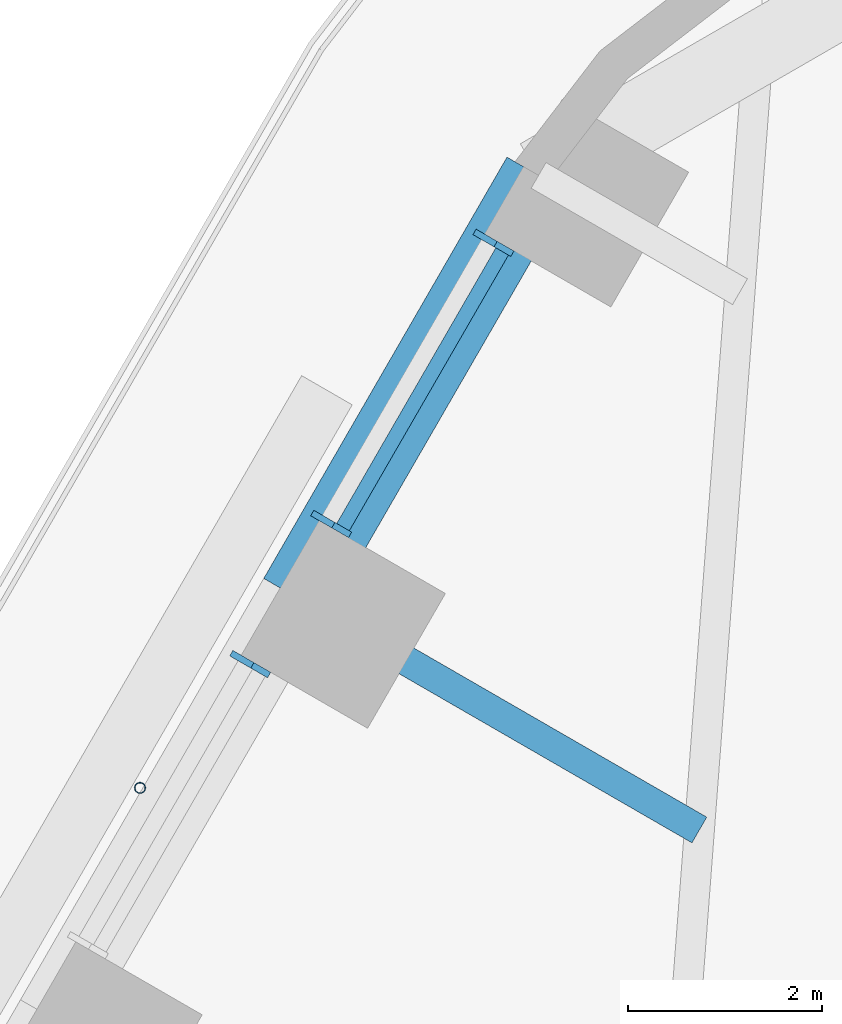
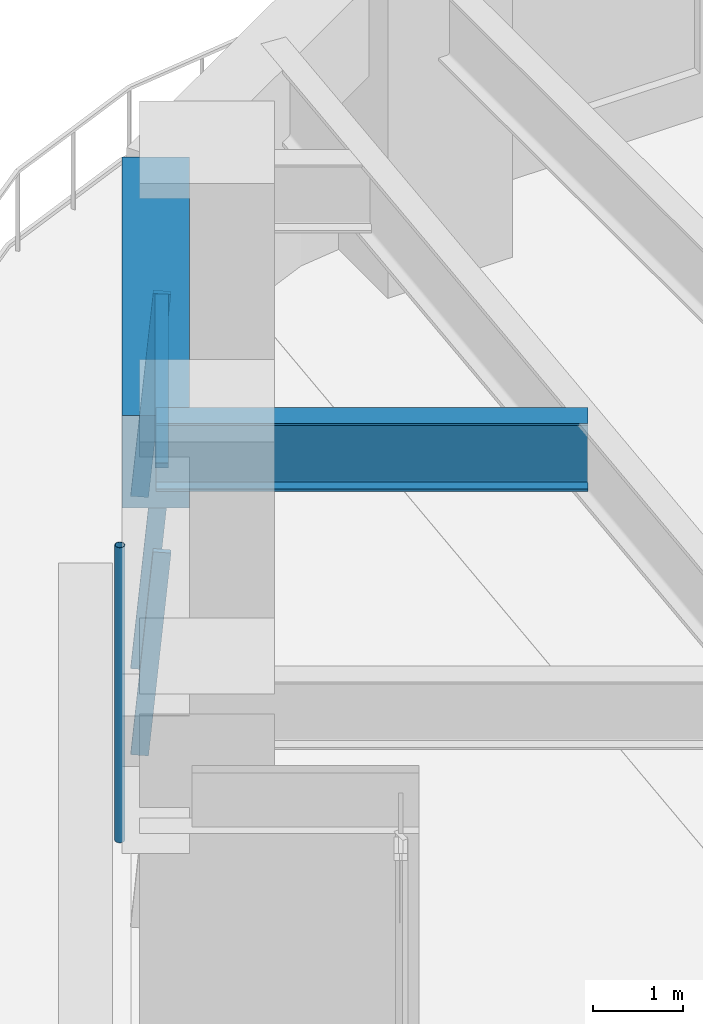
# One storey, part 9 of 24: 5 members, 2 beams, 2 elements without a shape of their own.
"""IFC4 building model written with IfcOpenShell, lengths in metres."""

import ifcopenshell
import ifcopenshell.guid

model = None  # the IFC model being written
_history = None  # IfcOwnerHistory: only IFC2X3 demands one
_inside = {}  # id of a spatial element -> (the spatial element, [elements in it])
_under = {}  # id of a project, library or spatial element -> (it, [spatial elements below it])
_declared = {}  # id of a project -> (the project, [libraries it declares])
_typed = {}  # id of a type object -> (the type object, [elements of that type])
_made_of = {}  # id of a material, layer set ... -> (it, [elements and type objects made of it])


def new_model(schema):
    """Start an empty IFC model of exactly this schema.

    Asked for "IFC4X3", IfcOpenShell would pick the latest addendum, in which some entities
    have other attributes; the version numbers below select the first issue.
    IFC2X3 requires an IfcOwnerHistory on every rooted entity: one is made here for all.
    """
    global model, _history
    if schema == "IFC4X3":
        model = ifcopenshell.file(schema_version=(4, 3, 0, 0))
    else:
        model = ifcopenshell.file(schema=schema)
    _inside.clear()
    _under.clear()
    _declared.clear()
    _typed.clear()
    _made_of.clear()
    _history = None
    if model.schema == "IFC2X3":
        org = make("IfcOrganization", Name="unknown")
        user = make(
            "IfcPersonAndOrganization",
            ThePerson=make("IfcPerson", FamilyName="unknown"),
            TheOrganization=org,
        )
        app = make(
            "IfcApplication",
            ApplicationDeveloper=org,
            Version="unknown",
            ApplicationFullName="unknown",
            ApplicationIdentifier="unknown",
        )
        _history = make(
            "IfcOwnerHistory",
            OwningUser=user,
            OwningApplication=app,
            ChangeAction="ADDED",
            CreationDate=0,
        )
    return model


def make(cls, **values):
    """One entity of the class cls with the attributes given. An attribute that is None is left unset."""
    return model.create_entity(
        cls, **{name: value for name, value in values.items() if value is not None}
    )


def rooted(cls, **values):
    """An entity with a GlobalId (a new one), such as an element, a storey or a relation."""
    return make(cls, GlobalId=ifcopenshell.guid.new(), OwnerHistory=_history, **values)


def si_unit(unit_type, name, prefix=None):
    """IfcSIUnit, for example si_unit("LENGTHUNIT", "METRE", prefix="MILLI")."""
    return make("IfcSIUnit", UnitType=unit_type, Prefix=prefix, Name=name)


def assignment(units):
    """IfcUnitAssignment: the units of a project."""
    return None if units is None else make("IfcUnitAssignment", Units=units)


def point(xyz):
    """IfcCartesianPoint."""
    return None if xyz is None else make("IfcCartesianPoint", Coordinates=xyz)


def direction(xyz):
    """IfcDirection."""
    return None if xyz is None else make("IfcDirection", DirectionRatios=xyz)


def frame(location, z_axis=None, x_axis=None):
    """IfcAxis2Placement3D, a coordinate frame: its origin and axes. An axis left out is left unset."""
    return make(
        "IfcAxis2Placement3D",
        Location=point(location),
        Axis=direction(z_axis),
        RefDirection=direction(x_axis),
    )


def frame_2d(location, x_axis=None):
    """IfcAxis2Placement2D, a coordinate frame in the plane: its origin and x axis."""
    return make(
        "IfcAxis2Placement2D", Location=point(location), RefDirection=direction(x_axis)
    )


def origin():
    """The frame at (0, 0, 0) with its axes left unset."""
    return frame((0.0, 0.0, 0.0))


def origin_2d():
    """The frame at (0, 0) in the plane with its x axis left unset."""
    return frame_2d((0.0, 0.0))


def place(relative_to, where):
    """IfcLocalPlacement: puts the frame where relative to a parent placement (None: the world)."""
    return make(
        "IfcLocalPlacement", PlacementRelTo=relative_to, RelativePlacement=where
    )


def context(
    kind, dimensions, precision=None, world=None, true_north=None, identifier=None
):
    """IfcGeometricRepresentationContext, for example the 3D "Model" context."""
    return make(
        "IfcGeometricRepresentationContext",
        ContextIdentifier=identifier,
        ContextType=kind,
        CoordinateSpaceDimension=dimensions,
        Precision=precision,
        WorldCoordinateSystem=world,
        TrueNorth=true_north,
    )


def subcontext(parent, identifier, kind, view, scale=None):
    """IfcGeometricRepresentationSubContext, for example "Body" below "Model"."""
    return make(
        "IfcGeometricRepresentationSubContext",
        ContextIdentifier=identifier,
        ContextType=kind,
        ParentContext=parent,
        TargetScale=scale,
        TargetView=view,
    )


def project(units=None, contexts=None):
    """IfcProject with its units and contexts."""
    return rooted(
        "IfcProject",
        Name="project",
        RepresentationContexts=contexts,
        UnitsInContext=assignment(units),
    )


def spatial(cls, under=None, at=None, **own):
    """A site, building, storey or space (cls), placed at a placement, below another one or the project."""
    s = rooted(cls, ObjectPlacement=at, **own)
    if under is not None:
        _under.setdefault(under.id(), (under, []))[1].append(s)
    return s


def profile(cls, at=None, kind="AREA", **sizes):
    """A parametric profile (cls). Its sizes go by their IFC names, for example OverallWidth=200.0."""
    return make(cls, ProfileType=kind, Position=at, **sizes)


def rectangle(**sizes):
    """IfcRectangleProfileDef."""
    return profile("IfcRectangleProfileDef", **sizes)


def hollow_circle(**sizes):
    """IfcCircleHollowProfileDef."""
    return profile("IfcCircleHollowProfileDef", **sizes)


def i_section(**sizes):
    """IfcIShapeProfileDef."""
    return profile("IfcIShapeProfileDef", **sizes)


def extrude(swept, where, along, depth):
    """IfcExtrudedAreaSolid: the profile swept, set in the frame where, extruded along a direction by depth."""
    return make(
        "IfcExtrudedAreaSolid",
        SweptArea=swept,
        Position=where,
        ExtrudedDirection=direction(along),
        Depth=depth,
    )


def shape(context_of_items, identifier, shape_type, items):
    """IfcShapeRepresentation: the items that make up one representation, for example the "Body"."""
    return make(
        "IfcShapeRepresentation",
        ContextOfItems=context_of_items,
        RepresentationIdentifier=identifier,
        RepresentationType=shape_type,
        Items=items,
    )


def material(Name=None, Category=None):
    """IfcMaterial."""
    return make("IfcMaterial", Name=Name, Category=Category)


def material_profile(
    of_material, cross_section, Name=None, Category=None, Priority=None
):
    """IfcMaterialProfile: a cross section and its material."""
    return make(
        "IfcMaterialProfile",
        Name=Name,
        Material=of_material,
        Profile=cross_section,
        Priority=Priority,
        Category=Category,
    )


def profile_set(profiles, Name=None, composite=None):
    """IfcMaterialProfileSet."""
    return make(
        "IfcMaterialProfileSet",
        Name=Name,
        MaterialProfiles=profiles,
        CompositeProfile=composite,
    )


def made_of(thing, what):
    """Note that an element or type object is made of a material, layer set ...; save() writes the relation."""
    if what is not None:
        _made_of.setdefault(what.id(), (what, []))[1].append(thing)
    return thing


def type_object(cls, material=None, **own):
    """A type object (cls), such as IfcWallType, which elements share."""
    return made_of(rooted(cls, **own), material)


def element(
    cls,
    number,
    at=None,
    inside=None,
    cuts=None,
    type_object=None,
    material=None,
    context=None,
    identifier="Body",
    shape_type=None,
    held_by="IfcProductDefinitionShape",
    body=None,
    shapes=None,
    **own,
):
    """One element of the class cls, such as IfcWall. Its Tag is "e" and its number.

    at: its placement. inside: the storey or other place that contains it. cuts: it is an
    opening in that element (IfcRelVoidsElement). A single representation is given by context,
    identifier, shape_type and body (its items); several are given by shapes. held_by: the class
    of the entity that holds the representations. save() writes the other relations.
    """
    e = rooted(cls, Tag="e%d" % number, ObjectPlacement=at, **own)
    if body is not None:
        shapes = [shape(context, identifier, shape_type, body)]
    if shapes is not None:
        e.Representation = make(held_by, Representations=shapes)
    if inside is not None:
        _inside.setdefault(inside.id(), (inside, []))[1].append(e)
    if cuts is not None:
        rooted(
            "IfcRelVoidsElement", RelatingBuildingElement=cuts, RelatedOpeningElement=e
        )
    if type_object is not None:
        _typed.setdefault(type_object.id(), (type_object, []))[1].append(e)
    return made_of(e, material)


def aggregate(whole, parts):
    """IfcRelAggregates: a whole, such as a stair, and the parts it consists of."""
    return rooted("IfcRelAggregates", RelatingObject=whole, RelatedObjects=parts)


def save(model, path):
    """Write the relations noted so far, then the file.

    IfcRelAggregates (storeys below a building ...), IfcRelContainedInSpatialStructure (elements
    in a storey), IfcRelDefinesByType, IfcRelAssociatesMaterial and IfcRelDeclares: one each for
    every whole, place, type object, material and project.
    """
    for whole, parts in _under.values():
        aggregate(whole, parts)
    for where, things in _inside.values():
        rooted(
            "IfcRelContainedInSpatialStructure",
            RelatedElements=things,
            RelatingStructure=where,
        )
    for kind, things in _typed.values():
        rooted("IfcRelDefinesByType", RelatedObjects=things, RelatingType=kind)
    for what, things in _made_of.values():
        rooted("IfcRelAssociatesMaterial", RelatedObjects=things, RelatingMaterial=what)
    for by, libraries in _declared.values():
        rooted("IfcRelDeclares", RelatingContext=by, RelatedDefinitions=libraries)
    model.write(path)


model = new_model("IFC4")

# Units and contexts
model_context = context("Model", 3, precision=1e-05, world=origin(), true_north=direction((0.0, 1.0)))
body_context = subcontext(model_context, "Body", "Model", "MODEL_VIEW")
ifc_project = project(units=[si_unit("LENGTHUNIT", "METRE"), si_unit("AREAUNIT", "SQUARE_METRE"), si_unit("VOLUMEUNIT", "CUBIC_METRE"), si_unit("PLANEANGLEUNIT", "RADIAN"), si_unit("MASSUNIT", "GRAM", prefix="KILO")], contexts=[model_context])

# Site, building, storey
site_placement = place(None, origin())
site = spatial("IfcSite", under=ifc_project, at=site_placement, CompositionType="ELEMENT")
building_placement = place(site_placement, origin())
building = spatial("IfcBuilding", under=site, at=building_placement, Name="Tarfa Lantern Tower", CompositionType="ELEMENT")
storey_placement = place(building_placement, frame((0.0, 0.0, 144.699951171875)))
storey = spatial("IfcBuildingStorey", under=building, at=storey_placement, Name="L32", CompositionType="ELEMENT", Elevation=144.699951171875)

# Curtain wall, members
ifc_material_1 = material(Name="Aluminium framed curtain wall", Category="aluminium")
curtain_wall_type = type_object("IfcCurtainWallType", Name="CW2 CANTED GLAZING MID ZONE 2750", PredefinedType="USERDEFINED", material=ifc_material_1)
curtain_wall_1_placement = place(storey_placement, origin())
curtain_wall_1 = element("IfcCurtainWall", 1, at=curtain_wall_1_placement, inside=storey, type_object=curtain_wall_type, Name="CW2 NW L32", ObjectType="CURTAIN WALL", PredefinedType="USERDEFINED")
ifc_material_2 = material(Name="Aluminium mullion", Category="aluminium")
ifc_material_profile_1 = material_profile(ifc_material_2, rectangle(XDim=0.06494140625, YDim=0.199951171875, at=origin_2d()), Name="AL MULLION 65x200")
ifc_profile_set_1 = profile_set([ifc_material_profile_1], Name="Aluminium mullion")
member_type_1 = type_object("IfcMemberType", Name="CWM1 MULLION 65x200", PredefinedType="MULLION", material=ifc_profile_set_1)
member_1_placement = place(storey_placement, frame((-20.10400390625, 27.97900390625, 0.0), z_axis=(0.078422950161, -0.045267813396, 0.995891894715), x_axis=(0.499919672301, 0.866071776036, 0.0)))
member_1 = element("IfcMember", 2, at=member_1_placement, type_object=member_type_1, Name="CW2 mullion 1", PredefinedType="MULLION", context=body_context, shape_type="SweptSolid", body=[
    extrude(rectangle(XDim=0.06494140625, YDim=0.199951171875, at=origin_2d()), origin(), (0.0, 0.0, 1.0), 2.76123046875),
])
member_2_placement = place(storey_placement, frame((-21.773193359375, 25.087646484375, 0.0), z_axis=(0.078422950161, -0.045267813396, 0.995891894715), x_axis=(0.499919672301, 0.866071776036, 0.0)))
member_2 = element("IfcMember", 3, at=member_2_placement, type_object=member_type_1, Name="CW2 mullion 2", PredefinedType="MULLION", context=body_context, shape_type="SweptSolid", body=[
    extrude(rectangle(XDim=0.06494140625, YDim=0.199951171875, at=origin_2d()), origin(), (0.0, 0.0, 1.0), 2.76123046875),
])

# Curtain wall, member
curtain_wall_2_placement = place(storey_placement, origin())
curtain_wall_2 = element("IfcCurtainWall", 4, at=curtain_wall_2_placement, inside=storey, type_object=curtain_wall_type, Name="CW2 NW L32", ObjectType="CURTAIN WALL", PredefinedType="USERDEFINED")
member_3_placement = place(storey_placement, frame((-22.605712890625, 23.645751953125, 0.0), z_axis=(0.078422950161, -0.045267813396, 0.995891894715), x_axis=(0.499919672301, 0.866071776036, 0.0)))
member_3 = element("IfcMember", 5, at=member_3_placement, type_object=member_type_1, Name="CW2 mullion 1", PredefinedType="MULLION", context=body_context, shape_type="SweptSolid", body=[
    extrude(rectangle(XDim=0.06494140625, YDim=0.199951171875, at=origin_2d()), origin(), (0.0, 0.0, 1.0), 2.76123046875),
])
aggregate(curtain_wall_2, [member_3])

# Member
ifc_material_3 = material(Name="Aluminium transom", Category="aluminium")
ifc_material_profile_2 = material_profile(ifc_material_3, rectangle(XDim=0.14990234375, YDim=0.06494140625, at=origin_2d()), Name="AL TRANSOM 150x65")
ifc_profile_set_2 = profile_set([ifc_material_profile_2], Name="Aluminium transom")
member_type_2 = type_object("IfcMemberType", Name="CWT1 TRANSOM 150x65", PredefinedType="USERDEFINED", material=ifc_profile_set_2)
member_4_placement = place(storey_placement, frame((-19.90625, 27.827392578125, 2.717529296875), z_axis=(-0.499957005835, -0.866050225054, 0.0), x_axis=(0.866050225054, -0.499957005835, 0.0)))
member_4 = element("IfcMember", 6, at=member_4_placement, type_object=member_type_2, Name="CW2 transom 1.2", ObjectType="TRANSOM", PredefinedType="USERDEFINED", context=body_context, shape_type="SweptSolid", body=[
    extrude(rectangle(XDim=0.14990234375, YDim=0.06494140625, at=origin_2d()), origin(), (0.0, 0.0, 1.0), 3.273681640625),
])

aggregate(curtain_wall_1, [member_1, member_2, member_4])

# Beam
ifc_material_4 = material(Name="Concrete C80/95", Category="concrete")
ifc_material_profile_3 = material_profile(ifc_material_4, rectangle(XDim=0.75, YDim=1.25, at=origin_2d()), Name="RC 750x1250")
ifc_profile_set_3 = profile_set([ifc_material_profile_3], Name="Concrete C80/95")
beam_type_1 = type_object("IfcBeamType", Name="EB2 RC 750x1250", PredefinedType="SPANDREL", material=ifc_profile_set_3)
beam_1_placement = place(storey_placement, frame((-19.53173828125, 28.610107421875, 3.375), z_axis=(-0.500001197378, -0.866024712477, 0.0), x_axis=(0.866024712477, -0.500001197378, 0.0)))
element("IfcBeam", 7, at=beam_1_placement, inside=storey, type_object=beam_type_1, Name="Edge beam NW0", PredefinedType="SPANDREL", context=body_context, shape_type="SweptSolid", body=[
    extrude(rectangle(XDim=0.75, YDim=1.25, at=origin_2d()), origin(), (0.0, 0.0, 1.0), 5.00390625),
])

# Member
ifc_material_5 = material(Name="Steel S355", Category="steel")
ifc_material_profile_4 = material_profile(ifc_material_5, hollow_circle(Radius=0.05712890625, WallThickness=0.00634765625, at=origin_2d()), Name="CHS114.3x6.3")
ifc_profile_set_4 = profile_set([ifc_material_profile_4], Name="Steel S355")
member_type_3 = type_object("IfcMemberType", Name="TR1 GREEN WALL TRELLIS CHS114.3x6.3", PredefinedType="USERDEFINED", material=ifc_profile_set_4)
member_5_placement = place(storey_placement, frame((-23.630859375, 22.31005859375, 0.0), z_axis=(0.0, 0.0, 1.0), x_axis=(1.0, 0.0, 0.0)))
element("IfcMember", 8, at=member_5_placement, inside=storey, type_object=member_type_3, Name="Trellis post NW 1", ObjectType="TRELLIS", PredefinedType="USERDEFINED", context=body_context, shape_type="SweptSolid", body=[
    extrude(hollow_circle(Radius=0.05712890625, WallThickness=0.00634765625, at=origin_2d()), origin(), (0.0, 0.0, 1.0), 4.0),
])

# Beam
ifc_material_6 = material(Name="Steel S460M", Category="steel")
ifc_material_profile_5 = material_profile(ifc_material_6, i_section(OverallWidth=0.305419921875, OverallDepth=0.91845703125, WebThickness=0.017333984375, FlangeThickness=0.02783203125, FilletRadius=0.01904296875, at=origin_2d()), Name="UB914x305x253")
ifc_profile_set_5 = profile_set([ifc_material_profile_5], Name="Steel S460M")
beam_type_2 = type_object("IfcBeamType", Name="UB914x305x253", PredefinedType="BEAM", material=ifc_profile_set_5)
beam_2_placement = place(storey_placement, frame((-22.03369140625, 24.276611328125, 3.540771484375), z_axis=(0.866030550462, -0.499991085587, 0.0), x_axis=(0.499991085587, 0.866030550462, 0.0)))
element("IfcBeam", 9, at=beam_2_placement, inside=storey, type_object=beam_type_2, Name="Floor beam NW1", PredefinedType="BEAM", context=body_context, shape_type="SweptSolid", body=[
    extrude(i_section(OverallWidth=0.305419921875, OverallDepth=0.91845703125, WebThickness=0.017333984375, FlangeThickness=0.02783203125, FilletRadius=0.01904296875, at=origin_2d()), origin(), (0.0, 0.0, 1.0), 4.798828125),
])

save(model, "model.ifc")
